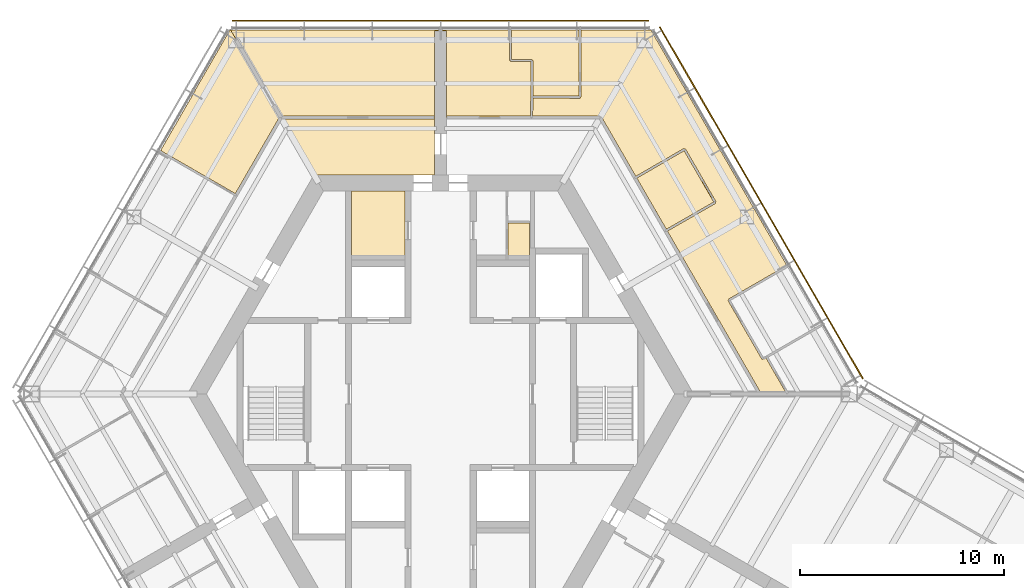
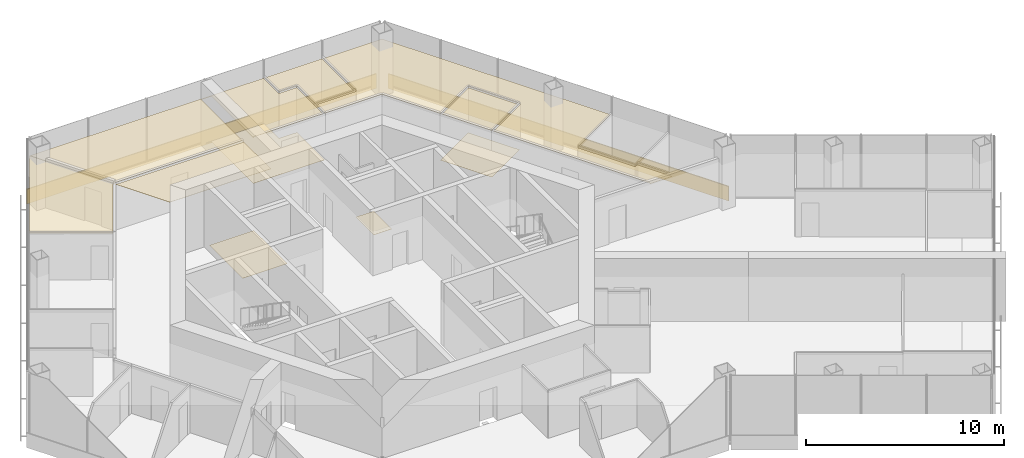
# One storey, part 17 of 17: 11 coverings, 2 shading devices.
"""IFC4 building model written with IfcOpenShell, lengths in metres."""

from ifc_helpers import new_model, si_unit, direction, frame, origin, origin_2d, place, context, subcontext, project, spatial, polyline, rectangle, outline, extrude, material, layer, layer_set, type_object, element, save


model = new_model("IFC4")

# Units and contexts
model_context = context("Model", 3, precision=1e-05, world=origin(), true_north=direction((0.0, 1.0)))
body_context = subcontext(model_context, "Body", "Model", "MODEL_VIEW")
ifc_project = project(units=[si_unit("LENGTHUNIT", "METRE"), si_unit("AREAUNIT", "SQUARE_METRE"), si_unit("VOLUMEUNIT", "CUBIC_METRE"), si_unit("PLANEANGLEUNIT", "RADIAN"), si_unit("MASSUNIT", "GRAM", prefix="KILO")], contexts=[model_context])

# Site, building, storey
site_placement = place(None, origin())
site = spatial("IfcSite", under=ifc_project, at=site_placement, CompositionType="ELEMENT")
building_placement = place(site_placement, origin())
building = spatial("IfcBuilding", under=site, at=building_placement, Name="Kasaneha Research Tower", CompositionType="ELEMENT")
storey_placement = place(building_placement, frame((0.0, 0.0, 224.5)))
storey = spatial("IfcBuildingStorey", under=building, at=storey_placement, Name="L56", CompositionType="ELEMENT", Elevation=224.5)

# Coverings
ifc_material_1 = material(Name="Gypsum ceiling board", Category="gypsum")
ifc_layer_1 = layer(ifc_material_1, 0.02001953125)
ifc_layer_set_1 = layer_set([ifc_layer_1], Name="Suspended ceiling 20")
covering_type_1 = type_object("IfcCoveringType", Name="Suspended ceiling 20", PredefinedType="CEILING", material=ifc_layer_set_1)
covering_1_placement = place(storey_placement, frame((0.0, 0.0, 2.800048828125)))
element("IfcCovering", 1, at=covering_1_placement, inside=storey, type_object=covering_type_1, Name="Ceiling L56-25", PredefinedType="CEILING", context=body_context, shape_type="SweptSolid", body=[
    extrude(outline(polyline([(0.300048828125, 13.525146484375), (0.300048828125, 17.7705078125), (0.0, 17.7705078125), (-0.000244140625, 17.82080078125), (3.4150390625, 17.821044921875), (3.4150390625, 17.800537109375), (3.364990234375, 17.800537109375), (3.364990234375, 16.324951171875), (3.4150390625, 16.324951171875), (3.4150390625, 16.324951171875), (3.4150390625, 16.324951171875), (3.4150390625, 16.27490234375), (4.4150390625, 16.27490234375), (4.4150390625, 14.525146484375), (4.410888671875, 13.60009765625), (0.320068359375, 13.60009765625), (0.320068359375, 13.525146484375), (0.300048828125, 13.525146484375)])), origin(), (0.0, 0.0, 1.0), 0.02001953125),
])
covering_2_placement = place(storey_placement, frame((0.0, 0.0, 2.800048828125)))
element("IfcCovering", 2, at=covering_2_placement, inside=storey, type_object=covering_type_1, Name="Ceiling L56-26", PredefinedType="CEILING", context=body_context, shape_type="SweptSolid", body=[
    extrude(outline(polyline([(9.605224609375, 10.5634765625), (11.919677734375, 11.904541015625), (13.36962890625, 9.393310546875), (11.05078125, 8.0595703125), (9.605224609375, 10.5634765625)])), origin(), (0.0, 0.0, 1.0), 0.02001953125),
])
covering_3_placement = place(storey_placement, frame((0.0, 0.0, 2.800048828125)))
element("IfcCovering", 3, at=covering_3_placement, inside=storey, type_object=covering_type_1, Name="Ceiling L56-28", PredefinedType="CEILING", context=body_context, shape_type="SweptSolid", body=[
    extrude(outline(polyline([(3.41552734375, 17.820556640625), (6.8310546875, 17.820556640625), (6.8310546875, 17.800537109375), (6.781005859375, 17.800537109375), (6.781005859375, 14.570556640625), (4.514892578125, 14.574951171875), (4.514892578125, 16.324951171875), (4.465087890625, 16.324951171875), (4.465087890625, 16.375), (3.465087890625, 16.375), (3.465087890625, 17.800537109375), (3.41552734375, 17.800537109375), (3.41552734375, 17.820556640625)])), origin(), (0.0, 0.0, 1.0), 0.02001953125),
])
covering_4_placement = place(storey_placement, frame((0.0, 0.0, 2.800048828125)))
element("IfcCovering", 4, at=covering_4_placement, inside=storey, type_object=covering_type_1, Name="Ceiling L56-30", PredefinedType="CEILING", context=body_context, shape_type="SweptSolid", body=[
    extrude(outline(polyline([(13.438232421875, 9.374755859375), (13.438232421875, 9.375), (13.481201171875, 9.39990234375), (11.981201171875, 11.998046875), (11.938232421875, 11.97314453125), (11.938232421875, 11.973388671875), (11.937744140625, 11.97314453125), (11.912841796875, 12.016357421875), (9.55517578125, 10.64990234375), (7.87353515625, 13.5625), (7.80908203125, 13.525146484375), (7.808837890625, 13.525390625), (7.80859375, 13.525390625), (7.80859375, 13.60009765625), (4.5107421875, 13.60009765625), (4.514892578125, 14.474853515625), (6.830810546875, 14.470458984375), (6.830810546875, 14.520263671875), (6.831298828125, 14.520263671875), (6.831298828125, 14.5205078125), (6.880859375, 14.5205078125), (6.880859375, 17.800537109375), (6.83154296875, 17.800537109375), (6.83154296875, 17.820556640625), (10.28857421875, 17.820556640625), (16.94677734375, 6.28857421875), (14.0888671875, 4.638427734375), (14.113525390625, 4.595458984375), (14.11328125, 4.59521484375), (14.113525390625, 4.594970703125), (14.070556640625, 4.5703125), (15.736083984375, 1.685546875), (15.78662109375, 1.71484375), (15.913330078125, 1.787353515625), (16.93994140625, 0.0), (15.617919921875, 0.0), (15.606201171875, 0.020263671875), (15.670654296875, 0.0576171875), (11.100830078125, 7.972900390625), (13.462890625, 9.33154296875), (13.43798828125, 9.374755859375), (13.438232421875, 9.374755859375)])), origin(), (0.0, 0.0, 1.0), 0.02001953125),
])
covering_5_placement = place(storey_placement, frame((0.0, 0.0, 2.800048828125)))
element("IfcCovering", 5, at=covering_5_placement, inside=storey, type_object=covering_type_1, Name="Ceiling L56-31", PredefinedType="CEILING", context=body_context, shape_type="SweptSolid", body=[
    extrude(outline(polyline([(-0.300048828125, 11.72509765625), (-0.300048828125, 10.72509765625), (-6.192138671875, 10.72509765625), (-7.765380859375, 13.449951171875), (-7.765380859375, 13.449951171875), (-0.320068359375, 13.449951171875), (-0.320068359375, 13.52490234375), (-0.300048828125, 13.52490234375), (-0.300048828125, 12.72509765625), (-0.300048828125, 11.72509765625)])), origin(), (0.0, 0.0, 1.0), 0.02001953125),
])
covering_6_placement = place(storey_placement, frame((0.0, 0.0, 2.800048828125)))
element("IfcCovering", 6, at=covering_6_placement, inside=storey, type_object=covering_type_1, Name="Ceiling L56-32", PredefinedType="CEILING", context=body_context, shape_type="SweptSolid", body=[
    extrude(outline(polyline([(-0.320068359375, 13.525390625), (-0.320068359375, 13.60009765625), (-7.78564453125, 13.60009765625), (-7.78564453125, 13.525390625), (-7.808837890625, 13.525390625), (-10.28857421875, 17.820556640625), (0.0, 17.820556640625), (0.0, 17.7705078125), (-0.300048828125, 17.7705078125), (-0.300048828125, 17.7705078125), (-0.300048828125, 13.525390625), (-0.320068359375, 13.525390625)])), origin(), (0.0, 0.0, 1.0), 0.02001953125),
])
covering_7_placement = place(storey_placement, frame((0.0, 0.0, 2.800048828125)))
element("IfcCovering", 7, at=covering_7_placement, inside=storey, type_object=covering_type_1, Name="Ceiling L56-35", PredefinedType="CEILING", context=body_context, shape_type="SweptSolid", body=[
    extrude(outline(polyline([(-12.027587890625, 14.83251953125), (-10.299072265625, 17.826416015625), (-10.291748046875, 17.83203125), (-10.282470703125, 17.830810546875), (-7.796875, 13.525634765625), (-7.8017578125, 13.513916015625), (-7.80908203125, 13.525146484375), (-7.820556640625, 13.50537109375), (-7.88525390625, 13.54248046875), (-10.04296875, 9.80517578125), (-13.7001953125, 11.911376953125), (-12.023193359375, 14.816162109375), (-12.02880859375, 14.822998046875), (-12.027587890625, 14.83251953125)])), origin(), (0.0, 0.0, 1.0), 0.02001953125),
])

# Shading devices
ifc_material_2 = material(Name="Terracotta", Category="masonry")
ifc_layer_2 = layer(ifc_material_2, 0.06005859375)
ifc_layer_set_2 = layer_set([ifc_layer_2], Name="Terracotta baguette screen")
shading_device_type = type_object("IfcShadingDeviceType", Name="Terracotta baguette screen", PredefinedType="USERDEFINED", material=ifc_layer_set_2)
shading_device_1_placement = place(storey_placement, frame((15.696044921875, 9.35498046875, -0.449951171875), z_axis=(0.0, 0.0, 1.0), x_axis=(-0.499999979232, 0.866025415775, 0.0)))
element("IfcShadingDevice", 8, at=shading_device_1_placement, inside=storey, type_object=shading_device_type, Name="Baguette screen L56 01", ObjectType="TERRACOTTA BAGUETTE SCREEN", PredefinedType="USERDEFINED", context=body_context, shape_type="SweptSolid", body=[
    extrude(rectangle(XDim=19.8857421875, YDim=0.06005859375, at=origin_2d()), origin(), (0.0, 0.0, 1.0), 0.89990234375),
])
shading_device_2_placement = place(storey_placement, frame((0.0, 18.2705078125, -0.449951171875), z_axis=(0.0, 0.0, 1.0), x_axis=(-1.0, 0.0, 0.0)))
element("IfcShadingDevice", 9, at=shading_device_2_placement, inside=storey, type_object=shading_device_type, Name="Baguette screen L56 02", ObjectType="TERRACOTTA BAGUETTE SCREEN", PredefinedType="USERDEFINED", context=body_context, shape_type="SweptSolid", body=[
    extrude(rectangle(XDim=20.392822265625, YDim=0.06005859375, at=origin_2d()), origin(), (0.0, 0.0, 1.0), 0.89990234375),
])

# Coverings
ifc_material_3 = material(Name="Vinyl sheet flooring", Category="plastic")
ifc_layer_3 = layer(ifc_material_3, 0.0048828125)
ifc_layer_set_3 = layer_set([ifc_layer_3], Name="Wet room sheet flooring 5")
covering_type_2 = type_object("IfcCoveringType", Name="Wet room sheet flooring 5", PredefinedType="FLOORING", material=ifc_layer_set_3)
covering_8_placement = place(storey_placement, origin())
element("IfcCovering", 10, at=covering_8_placement, inside=storey, type_object=covering_type_2, Name="Floor finish L56-06", PredefinedType="FLOORING", context=body_context, shape_type="SweptSolid", body=[
    extrude(outline(polyline([(-1.75, 9.925048828125), (-1.75, 6.550048828125), (-4.35009765625, 6.550048828125), (-4.35009765625, 9.925048828125), (-1.75, 9.925048828125)])), origin(), (0.0, 0.0, 1.0), 0.0048828125),
])
covering_9_placement = place(storey_placement, origin())
element("IfcCovering", 11, at=covering_9_placement, inside=storey, type_object=covering_type_2, Name="Floor finish L56-08", PredefinedType="FLOORING", context=body_context, shape_type="SweptSolid", body=[
    extrude(outline(polyline([(3.300048828125, 6.550048828125), (3.300048828125, 8.375), (4.35009765625, 8.375), (4.35009765625, 7.0), (4.35009765625, 6.550048828125), (3.300048828125, 6.550048828125)])), origin(), (0.0, 0.0, 1.0), 0.0048828125),
])
covering_10_placement = place(storey_placement, origin())
element("IfcCovering", 12, at=covering_10_placement, inside=storey, type_object=covering_type_2, Name="Floor finish L56-25", PredefinedType="FLOORING", context=body_context, shape_type="SweptSolid", body=[
    extrude(outline(polyline([(4.465087890625, 16.324951171875), (4.465087890625, 13.52490234375), (0.299560546875, 13.525146484375), (0.299560546875, 17.77001953125), (0.0, 17.77001953125), (-0.000244140625, 17.82080078125), (3.4150390625, 17.821044921875), (3.4150390625, 16.324951171875), (4.465087890625, 16.324951171875)])), origin(), (0.0, 0.0, 1.0), 0.0048828125),
])
covering_11_placement = place(storey_placement, origin())
element("IfcCovering", 13, at=covering_11_placement, inside=storey, type_object=covering_type_2, Name="Floor finish L56-26", PredefinedType="FLOORING", context=body_context, shape_type="SweptSolid", body=[
    extrude(outline(polyline([(11.93798828125, 11.972900390625), (13.43798828125, 9.375), (11.012939453125, 7.974853515625), (9.512939453125, 10.572998046875), (11.93798828125, 11.972900390625)])), origin(), (0.0, 0.0, 1.0), 0.0048828125),
])

save(model, "model.ifc")
